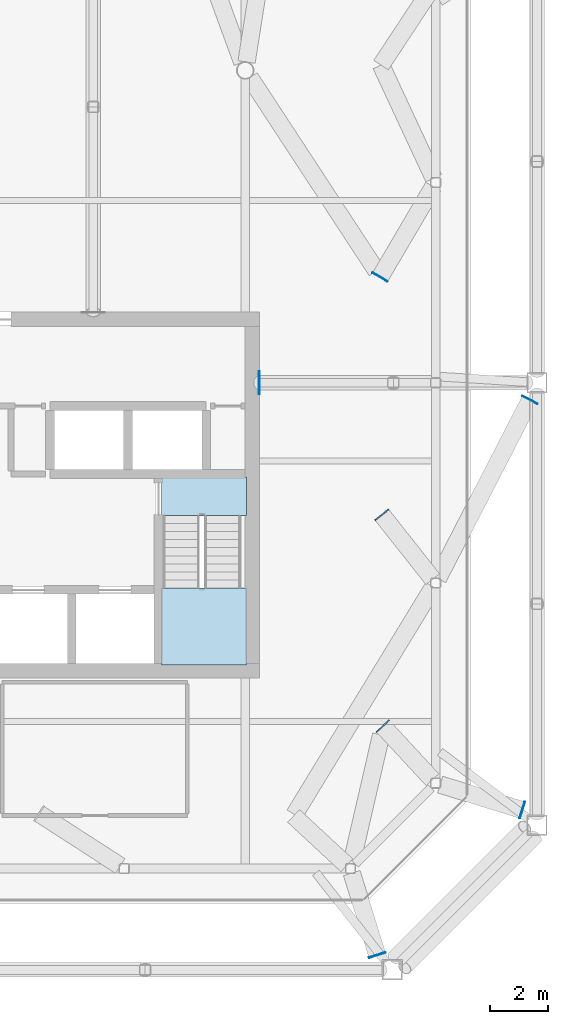
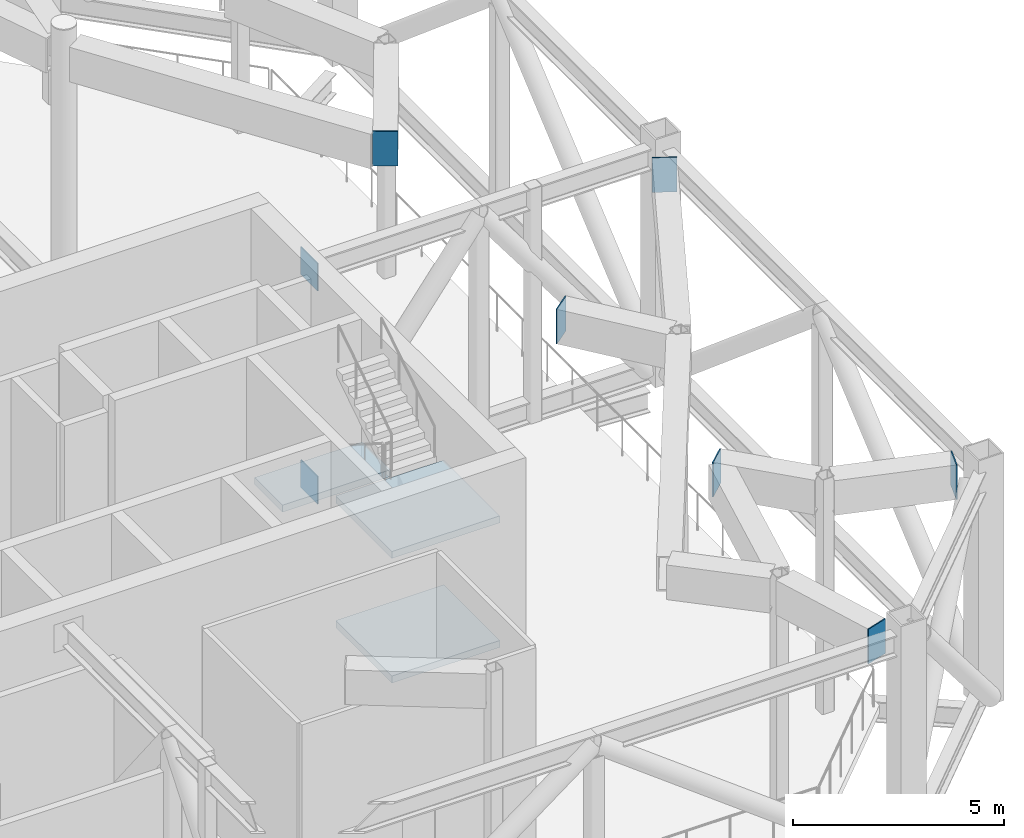
# One storey, part 9 of 17: 8 plates, 3 slabs, 1 element without a shape of its own.
"""IFC4 building model written with IfcOpenShell, lengths in metres."""

import ifcopenshell
import ifcopenshell.guid

model = None  # the IFC model being written
_history = None  # IfcOwnerHistory: only IFC2X3 demands one
_inside = {}  # id of a spatial element -> (the spatial element, [elements in it])
_under = {}  # id of a project, library or spatial element -> (it, [spatial elements below it])
_declared = {}  # id of a project -> (the project, [libraries it declares])
_typed = {}  # id of a type object -> (the type object, [elements of that type])
_made_of = {}  # id of a material, layer set ... -> (it, [elements and type objects made of it])


def new_model(schema):
    """Start an empty IFC model of exactly this schema.

    Asked for "IFC4X3", IfcOpenShell would pick the latest addendum, in which some entities
    have other attributes; the version numbers below select the first issue.
    IFC2X3 requires an IfcOwnerHistory on every rooted entity: one is made here for all.
    """
    global model, _history
    if schema == "IFC4X3":
        model = ifcopenshell.file(schema_version=(4, 3, 0, 0))
    else:
        model = ifcopenshell.file(schema=schema)
    _inside.clear()
    _under.clear()
    _declared.clear()
    _typed.clear()
    _made_of.clear()
    _history = None
    if model.schema == "IFC2X3":
        org = make("IfcOrganization", Name="unknown")
        user = make(
            "IfcPersonAndOrganization",
            ThePerson=make("IfcPerson", FamilyName="unknown"),
            TheOrganization=org,
        )
        app = make(
            "IfcApplication",
            ApplicationDeveloper=org,
            Version="unknown",
            ApplicationFullName="unknown",
            ApplicationIdentifier="unknown",
        )
        _history = make(
            "IfcOwnerHistory",
            OwningUser=user,
            OwningApplication=app,
            ChangeAction="ADDED",
            CreationDate=0,
        )
    return model


def make(cls, **values):
    """One entity of the class cls with the attributes given. An attribute that is None is left unset."""
    return model.create_entity(
        cls, **{name: value for name, value in values.items() if value is not None}
    )


def rooted(cls, **values):
    """An entity with a GlobalId (a new one), such as an element, a storey or a relation."""
    return make(cls, GlobalId=ifcopenshell.guid.new(), OwnerHistory=_history, **values)


def si_unit(unit_type, name, prefix=None):
    """IfcSIUnit, for example si_unit("LENGTHUNIT", "METRE", prefix="MILLI")."""
    return make("IfcSIUnit", UnitType=unit_type, Prefix=prefix, Name=name)


def assignment(units):
    """IfcUnitAssignment: the units of a project."""
    return None if units is None else make("IfcUnitAssignment", Units=units)


def point(xyz):
    """IfcCartesianPoint."""
    return None if xyz is None else make("IfcCartesianPoint", Coordinates=xyz)


def direction(xyz):
    """IfcDirection."""
    return None if xyz is None else make("IfcDirection", DirectionRatios=xyz)


def frame(location, z_axis=None, x_axis=None):
    """IfcAxis2Placement3D, a coordinate frame: its origin and axes. An axis left out is left unset."""
    return make(
        "IfcAxis2Placement3D",
        Location=point(location),
        Axis=direction(z_axis),
        RefDirection=direction(x_axis),
    )


def frame_2d(location, x_axis=None):
    """IfcAxis2Placement2D, a coordinate frame in the plane: its origin and x axis."""
    return make(
        "IfcAxis2Placement2D", Location=point(location), RefDirection=direction(x_axis)
    )


def origin():
    """The frame at (0, 0, 0) with its axes left unset."""
    return frame((0.0, 0.0, 0.0))


def origin_2d():
    """The frame at (0, 0) in the plane with its x axis left unset."""
    return frame_2d((0.0, 0.0))


def place(relative_to, where):
    """IfcLocalPlacement: puts the frame where relative to a parent placement (None: the world)."""
    return make(
        "IfcLocalPlacement", PlacementRelTo=relative_to, RelativePlacement=where
    )


def context(
    kind, dimensions, precision=None, world=None, true_north=None, identifier=None
):
    """IfcGeometricRepresentationContext, for example the 3D "Model" context."""
    return make(
        "IfcGeometricRepresentationContext",
        ContextIdentifier=identifier,
        ContextType=kind,
        CoordinateSpaceDimension=dimensions,
        Precision=precision,
        WorldCoordinateSystem=world,
        TrueNorth=true_north,
    )


def subcontext(parent, identifier, kind, view, scale=None):
    """IfcGeometricRepresentationSubContext, for example "Body" below "Model"."""
    return make(
        "IfcGeometricRepresentationSubContext",
        ContextIdentifier=identifier,
        ContextType=kind,
        ParentContext=parent,
        TargetScale=scale,
        TargetView=view,
    )


def project(units=None, contexts=None):
    """IfcProject with its units and contexts."""
    return rooted(
        "IfcProject",
        Name="project",
        RepresentationContexts=contexts,
        UnitsInContext=assignment(units),
    )


def spatial(cls, under=None, at=None, **own):
    """A site, building, storey or space (cls), placed at a placement, below another one or the project."""
    s = rooted(cls, ObjectPlacement=at, **own)
    if under is not None:
        _under.setdefault(under.id(), (under, []))[1].append(s)
    return s


def polyline(points):
    """IfcPolyline through the points."""
    return make("IfcPolyline", Points=[point(p) for p in points])


def profile(cls, at=None, kind="AREA", **sizes):
    """A parametric profile (cls). Its sizes go by their IFC names, for example OverallWidth=200.0."""
    return make(cls, ProfileType=kind, Position=at, **sizes)


def rectangle(**sizes):
    """IfcRectangleProfileDef."""
    return profile("IfcRectangleProfileDef", **sizes)


def outline(outer, holes=None, kind="AREA"):
    """IfcArbitraryClosedProfileDef: a profile drawn as a closed curve; with holes, ...WithVoids."""
    if holes is None:
        return make("IfcArbitraryClosedProfileDef", ProfileType=kind, OuterCurve=outer)
    return make(
        "IfcArbitraryProfileDefWithVoids",
        ProfileType=kind,
        OuterCurve=outer,
        InnerCurves=holes,
    )


def extrude(swept, where, along, depth):
    """IfcExtrudedAreaSolid: the profile swept, set in the frame where, extruded along a direction by depth."""
    return make(
        "IfcExtrudedAreaSolid",
        SweptArea=swept,
        Position=where,
        ExtrudedDirection=direction(along),
        Depth=depth,
    )


def shape(context_of_items, identifier, shape_type, items):
    """IfcShapeRepresentation: the items that make up one representation, for example the "Body"."""
    return make(
        "IfcShapeRepresentation",
        ContextOfItems=context_of_items,
        RepresentationIdentifier=identifier,
        RepresentationType=shape_type,
        Items=items,
    )


def material(Name=None, Category=None):
    """IfcMaterial."""
    return make("IfcMaterial", Name=Name, Category=Category)


def layer(
    of_material, thickness, ventilated=None, Name=None, Category=None, Priority=None
):
    """IfcMaterialLayer: one layer of a wall or slab, of a material (None: an air gap)."""
    return make(
        "IfcMaterialLayer",
        Material=of_material,
        LayerThickness=thickness,
        IsVentilated=ventilated,
        Name=Name,
        Category=Category,
        Priority=Priority,
    )


def layer_set(layers, Name=None):
    """IfcMaterialLayerSet."""
    return make("IfcMaterialLayerSet", MaterialLayers=layers, LayerSetName=Name)


def material_profile(
    of_material, cross_section, Name=None, Category=None, Priority=None
):
    """IfcMaterialProfile: a cross section and its material."""
    return make(
        "IfcMaterialProfile",
        Name=Name,
        Material=of_material,
        Profile=cross_section,
        Priority=Priority,
        Category=Category,
    )


def profile_set(profiles, Name=None, composite=None):
    """IfcMaterialProfileSet."""
    return make(
        "IfcMaterialProfileSet",
        Name=Name,
        MaterialProfiles=profiles,
        CompositeProfile=composite,
    )


def made_of(thing, what):
    """Note that an element or type object is made of a material, layer set ...; save() writes the relation."""
    if what is not None:
        _made_of.setdefault(what.id(), (what, []))[1].append(thing)
    return thing


def type_object(cls, material=None, **own):
    """A type object (cls), such as IfcWallType, which elements share."""
    return made_of(rooted(cls, **own), material)


def element(
    cls,
    number,
    at=None,
    inside=None,
    cuts=None,
    type_object=None,
    material=None,
    context=None,
    identifier="Body",
    shape_type=None,
    held_by="IfcProductDefinitionShape",
    body=None,
    shapes=None,
    **own,
):
    """One element of the class cls, such as IfcWall. Its Tag is "e" and its number.

    at: its placement. inside: the storey or other place that contains it. cuts: it is an
    opening in that element (IfcRelVoidsElement). A single representation is given by context,
    identifier, shape_type and body (its items); several are given by shapes. held_by: the class
    of the entity that holds the representations. save() writes the other relations.
    """
    e = rooted(cls, Tag="e%d" % number, ObjectPlacement=at, **own)
    if body is not None:
        shapes = [shape(context, identifier, shape_type, body)]
    if shapes is not None:
        e.Representation = make(held_by, Representations=shapes)
    if inside is not None:
        _inside.setdefault(inside.id(), (inside, []))[1].append(e)
    if cuts is not None:
        rooted(
            "IfcRelVoidsElement", RelatingBuildingElement=cuts, RelatedOpeningElement=e
        )
    if type_object is not None:
        _typed.setdefault(type_object.id(), (type_object, []))[1].append(e)
    return made_of(e, material)


def aggregate(whole, parts):
    """IfcRelAggregates: a whole, such as a stair, and the parts it consists of."""
    return rooted("IfcRelAggregates", RelatingObject=whole, RelatedObjects=parts)


def save(model, path):
    """Write the relations noted so far, then the file.

    IfcRelAggregates (storeys below a building ...), IfcRelContainedInSpatialStructure (elements
    in a storey), IfcRelDefinesByType, IfcRelAssociatesMaterial and IfcRelDeclares: one each for
    every whole, place, type object, material and project.
    """
    for whole, parts in _under.values():
        aggregate(whole, parts)
    for where, things in _inside.values():
        rooted(
            "IfcRelContainedInSpatialStructure",
            RelatedElements=things,
            RelatingStructure=where,
        )
    for kind, things in _typed.values():
        rooted("IfcRelDefinesByType", RelatedObjects=things, RelatingType=kind)
    for what, things in _made_of.values():
        rooted("IfcRelAssociatesMaterial", RelatedObjects=things, RelatingMaterial=what)
    for by, libraries in _declared.values():
        rooted("IfcRelDeclares", RelatingContext=by, RelatedDefinitions=libraries)
    model.write(path)


model = new_model("IFC4")

# Units and contexts
model_context = context("Model", 3, precision=1e-05, world=origin(), true_north=direction((0.0, 1.0)))
body_context = subcontext(model_context, "Body", "Model", "MODEL_VIEW")
ifc_project = project(units=[si_unit("LENGTHUNIT", "METRE"), si_unit("AREAUNIT", "SQUARE_METRE"), si_unit("VOLUMEUNIT", "CUBIC_METRE"), si_unit("PLANEANGLEUNIT", "RADIAN"), si_unit("MASSUNIT", "GRAM", prefix="KILO")], contexts=[model_context])

# Site, building, storey
site_placement = place(None, origin())
site = spatial("IfcSite", under=ifc_project, at=site_placement, CompositionType="ELEMENT")
building_placement = place(site_placement, origin())
building = spatial("IfcBuilding", under=site, at=building_placement, Name="Tskaro Facet Tower", CompositionType="ELEMENT")
storey_placement = place(building_placement, frame((0.0, 0.0, 210.0)))
storey = spatial("IfcBuildingStorey", under=building, at=storey_placement, Name="L54", CompositionType="ELEMENT", Elevation=210.0)

# Plates
ifc_material_1 = material(Name="Steel S355J2", Category="steel")
ifc_material_profile_1 = material_profile(ifc_material_1, rectangle(XDim=0.60009765625, YDim=1.0, at=origin_2d()), Name="PL 600x1000x30 end plate")
ifc_profile_set_1 = profile_set([ifc_material_profile_1], Name="Steel S355J2")
plate_type_1 = type_object("IfcPlateType", Name="PL 600x1000x30 end plate", PredefinedType="SHEET", material=ifc_profile_set_1)
for number, where, z_axis, x_axis, name in (
    (1, (18.833251953125, -2.40185546875, 6.280029296875), (0.456979203766, 0.88947737876, 0.0), (-0.88947737876, 0.456979203766, 0.0), "End plate CP8-32"),
    (2, (13.556884765625, -21.559814453125, 6.280029296875), (0.301521356078, -0.953459423273, 0.0), (0.953459423273, 0.301521356078, 0.0), "End plate CP8-34"),
    (3, (18.559814453125, -16.556884765625, 6.280029296875), (0.953459423273, -0.301521356078, 0.0), (0.301521356078, 0.953459423273, 0.0), "End plate CP8-36"),
    (4, (13.764892578125, -13.67138671875, 6.280029296875), (-0.68231825036, 0.731055268243, 0.0), (-0.731055268243, -0.68231825036, 0.0), "End plate CP8-43"),
    (5, (13.73193359375, -6.36865234375, 6.280029296875), (-0.625685494002, 0.780075421094, 0.0), (-0.780075421094, -0.625685494002, 0.0), "End plate CP8-45"),
    (6, (13.66943359375, 1.8681640625, 6.280029296875), (-0.504883315038, -0.863187603129, 0.0), (0.863187603129, -0.504883315038, 0.0), "End plate CP8-46"),
):
    element("IfcPlate", number, at=place(storey_placement, frame(where, z_axis=z_axis, x_axis=x_axis)), inside=storey, type_object=plate_type_1, Name=name, PredefinedType="SHEET", context=body_context, shape_type="SweptSolid", body=[
        extrude(rectangle(XDim=0.60009765625, YDim=1.0, at=origin_2d()), origin(), (0.0, 0.0, 1.0), 0.030029296875),
    ])
ifc_material_profile_2 = material_profile(ifc_material_1, rectangle(XDim=0.800048828125, YDim=0.800048828125, at=origin_2d()), Name="PL 800x800x30 cast-in plate")
ifc_profile_set_2 = profile_set([ifc_material_profile_2], Name="Steel S355J2")
plate_type_2 = type_object("IfcPlateType", Name="PL 800x800x30 cast-in plate", PredefinedType="SHEET", material=ifc_profile_set_2)
for number, where, z_axis, x_axis, name in (
    (7, (9.469970703125, -1.79296875, 6.469970703125), (1.0, 0.0, 0.0), (0.0, 1.0, 0.0), "Cast-in plate AP1-21"),
    (8, (9.469970703125, -1.79296875, 0.31005859375), (1.0, 0.0, 0.0), (0.0, 1.0, 0.0), "Cast-in plate AP1-22"),
):
    element("IfcPlate", number, at=place(storey_placement, frame(where, z_axis=z_axis, x_axis=x_axis)), inside=storey, type_object=plate_type_2, Name=name, PredefinedType="SHEET", context=body_context, shape_type="SweptSolid", body=[
        extrude(rectangle(XDim=0.800048828125, YDim=0.800048828125, at=origin_2d()), origin(), (0.0, 0.0, 1.0), 0.030029296875),
    ])

# Stair, slabs
ifc_material_2 = material(Name="Concrete C40/50", Category="concrete")
stair_type = type_object("IfcStairType", Name="ST-TWR", PredefinedType="HALF_TURN_STAIR", material=ifc_material_2)
stair_placement = place(storey_placement, origin())
stair = element("IfcStair", 9, at=stair_placement, inside=storey, type_object=stair_type, Name="L54 Exit stair 2", PredefinedType="HALF_TURN_STAIR")
ifc_layer = layer(ifc_material_2, 0.199951171875, Name="Concrete C40/50")
ifc_layer_set = layer_set([ifc_layer], Name="Concrete C40/50")
slab_type = type_object("IfcSlabType", Name="SL-LANDING", PredefinedType="LANDING", material=ifc_layer_set)
slab_1_placement = place(storey_placement, frame((0.0, 0.0, 1.60009765625)))
slab_1 = element("IfcSlab", 10, at=slab_1_placement, type_object=slab_type, Name="ST-2 landing 1", PredefinedType="LANDING", context=body_context, shape_type="SweptSolid", body=[
    extrude(outline(polyline([(6.10009765625, -11.550048828125), (9.050048828125, -11.550048828125), (9.050048828125, -8.89501953125), (6.10009765625, -8.89501953125), (6.10009765625, -11.550048828125)])), origin(), (0.0, 0.0, 1.0), 0.199951171875),
])
slab_2_placement = place(storey_placement, frame((0.0, 0.0, 3.39990234375)))
slab_2 = element("IfcSlab", 11, at=slab_2_placement, type_object=slab_type, Name="ST-2 landing 2", PredefinedType="LANDING", context=body_context, shape_type="SweptSolid", body=[
    extrude(outline(polyline([(6.10009765625, -6.375), (9.050048828125, -6.375), (9.050048828125, -5.050048828125), (6.10009765625, -5.050048828125), (6.10009765625, -6.375)])), origin(), (0.0, 0.0, 1.0), 0.2001953125),
])
slab_3_placement = place(storey_placement, frame((0.0, 0.0, 5.199951171875)))
slab_3 = element("IfcSlab", 12, at=slab_3_placement, type_object=slab_type, Name="ST-2 landing 3", PredefinedType="LANDING", context=body_context, shape_type="SweptSolid", body=[
    extrude(outline(polyline([(6.10009765625, -11.550048828125), (9.050048828125, -11.550048828125), (9.050048828125, -8.89501953125), (6.10009765625, -8.89501953125), (6.10009765625, -11.550048828125)])), origin(), (0.0, 0.0, 1.0), 0.199951171875),
])
aggregate(stair, [slab_1, slab_2, slab_3])

save(model, "model.ifc")
